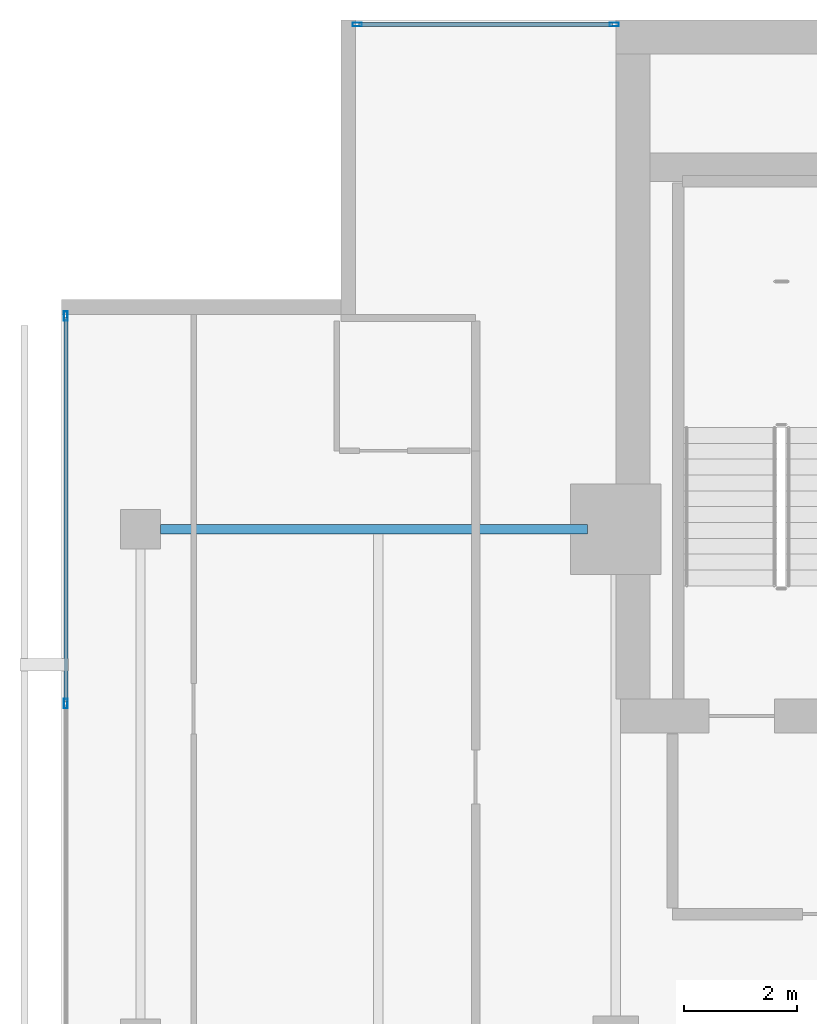
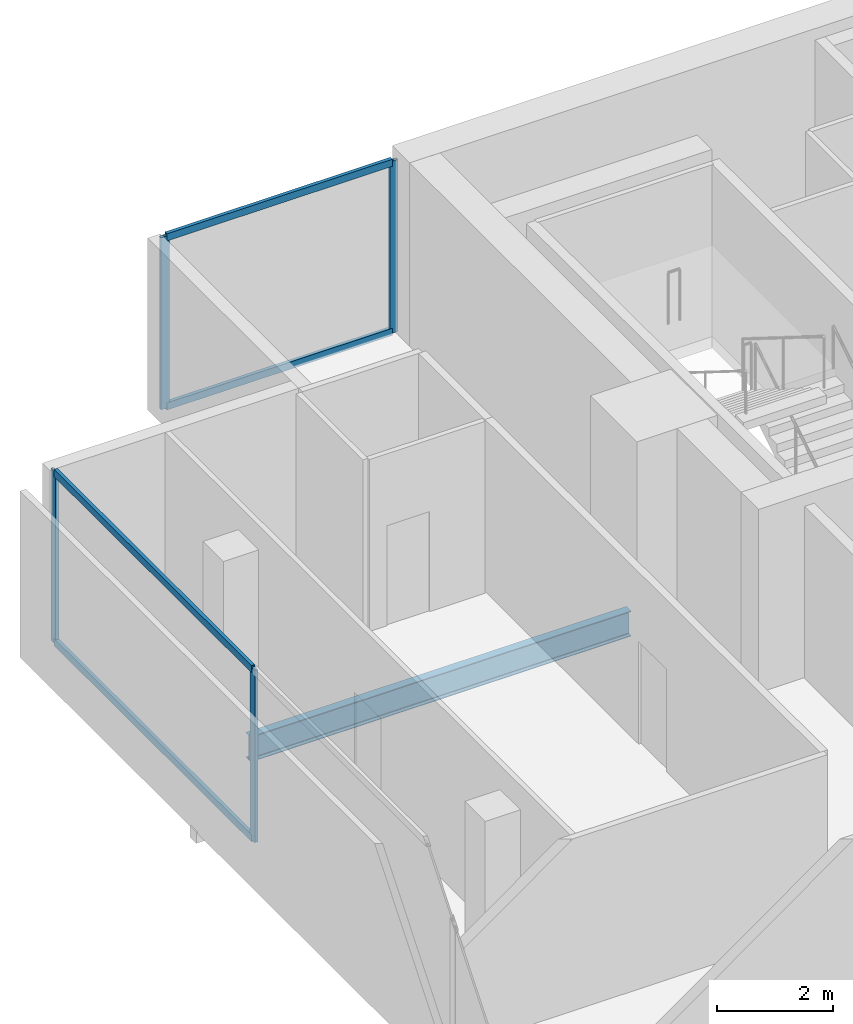
# One storey, part 16 of 25: 8 members, 1 beam, 2 elements without a shape of their own.
"""IFC4 building model written with IfcOpenShell, lengths in metres."""

import ifcopenshell
import ifcopenshell.guid

model = None  # the IFC model being written
_history = None  # IfcOwnerHistory: only IFC2X3 demands one
_inside = {}  # id of a spatial element -> (the spatial element, [elements in it])
_under = {}  # id of a project, library or spatial element -> (it, [spatial elements below it])
_declared = {}  # id of a project -> (the project, [libraries it declares])
_typed = {}  # id of a type object -> (the type object, [elements of that type])
_made_of = {}  # id of a material, layer set ... -> (it, [elements and type objects made of it])


def new_model(schema):
    """Start an empty IFC model of exactly this schema.

    Asked for "IFC4X3", IfcOpenShell would pick the latest addendum, in which some entities
    have other attributes; the version numbers below select the first issue.
    IFC2X3 requires an IfcOwnerHistory on every rooted entity: one is made here for all.
    """
    global model, _history
    if schema == "IFC4X3":
        model = ifcopenshell.file(schema_version=(4, 3, 0, 0))
    else:
        model = ifcopenshell.file(schema=schema)
    _inside.clear()
    _under.clear()
    _declared.clear()
    _typed.clear()
    _made_of.clear()
    _history = None
    if model.schema == "IFC2X3":
        org = make("IfcOrganization", Name="unknown")
        user = make(
            "IfcPersonAndOrganization",
            ThePerson=make("IfcPerson", FamilyName="unknown"),
            TheOrganization=org,
        )
        app = make(
            "IfcApplication",
            ApplicationDeveloper=org,
            Version="unknown",
            ApplicationFullName="unknown",
            ApplicationIdentifier="unknown",
        )
        _history = make(
            "IfcOwnerHistory",
            OwningUser=user,
            OwningApplication=app,
            ChangeAction="ADDED",
            CreationDate=0,
        )
    return model


def make(cls, **values):
    """One entity of the class cls with the attributes given. An attribute that is None is left unset."""
    return model.create_entity(
        cls, **{name: value for name, value in values.items() if value is not None}
    )


def rooted(cls, **values):
    """An entity with a GlobalId (a new one), such as an element, a storey or a relation."""
    return make(cls, GlobalId=ifcopenshell.guid.new(), OwnerHistory=_history, **values)


def si_unit(unit_type, name, prefix=None):
    """IfcSIUnit, for example si_unit("LENGTHUNIT", "METRE", prefix="MILLI")."""
    return make("IfcSIUnit", UnitType=unit_type, Prefix=prefix, Name=name)


def assignment(units):
    """IfcUnitAssignment: the units of a project."""
    return None if units is None else make("IfcUnitAssignment", Units=units)


def point(xyz):
    """IfcCartesianPoint."""
    return None if xyz is None else make("IfcCartesianPoint", Coordinates=xyz)


def direction(xyz):
    """IfcDirection."""
    return None if xyz is None else make("IfcDirection", DirectionRatios=xyz)


def frame(location, z_axis=None, x_axis=None):
    """IfcAxis2Placement3D, a coordinate frame: its origin and axes. An axis left out is left unset."""
    return make(
        "IfcAxis2Placement3D",
        Location=point(location),
        Axis=direction(z_axis),
        RefDirection=direction(x_axis),
    )


def frame_2d(location, x_axis=None):
    """IfcAxis2Placement2D, a coordinate frame in the plane: its origin and x axis."""
    return make(
        "IfcAxis2Placement2D", Location=point(location), RefDirection=direction(x_axis)
    )


def origin():
    """The frame at (0, 0, 0) with its axes left unset."""
    return frame((0.0, 0.0, 0.0))


def origin_2d():
    """The frame at (0, 0) in the plane with its x axis left unset."""
    return frame_2d((0.0, 0.0))


def place(relative_to, where):
    """IfcLocalPlacement: puts the frame where relative to a parent placement (None: the world)."""
    return make(
        "IfcLocalPlacement", PlacementRelTo=relative_to, RelativePlacement=where
    )


def context(
    kind, dimensions, precision=None, world=None, true_north=None, identifier=None
):
    """IfcGeometricRepresentationContext, for example the 3D "Model" context."""
    return make(
        "IfcGeometricRepresentationContext",
        ContextIdentifier=identifier,
        ContextType=kind,
        CoordinateSpaceDimension=dimensions,
        Precision=precision,
        WorldCoordinateSystem=world,
        TrueNorth=true_north,
    )


def subcontext(parent, identifier, kind, view, scale=None):
    """IfcGeometricRepresentationSubContext, for example "Body" below "Model"."""
    return make(
        "IfcGeometricRepresentationSubContext",
        ContextIdentifier=identifier,
        ContextType=kind,
        ParentContext=parent,
        TargetScale=scale,
        TargetView=view,
    )


def project(units=None, contexts=None):
    """IfcProject with its units and contexts."""
    return rooted(
        "IfcProject",
        Name="project",
        RepresentationContexts=contexts,
        UnitsInContext=assignment(units),
    )


def spatial(cls, under=None, at=None, **own):
    """A site, building, storey or space (cls), placed at a placement, below another one or the project."""
    s = rooted(cls, ObjectPlacement=at, **own)
    if under is not None:
        _under.setdefault(under.id(), (under, []))[1].append(s)
    return s


def profile(cls, at=None, kind="AREA", **sizes):
    """A parametric profile (cls). Its sizes go by their IFC names, for example OverallWidth=200.0."""
    return make(cls, ProfileType=kind, Position=at, **sizes)


def hollow_rectangle(**sizes):
    """IfcRectangleHollowProfileDef."""
    return profile("IfcRectangleHollowProfileDef", **sizes)


def i_section(**sizes):
    """IfcIShapeProfileDef."""
    return profile("IfcIShapeProfileDef", **sizes)


def extrude(swept, where, along, depth):
    """IfcExtrudedAreaSolid: the profile swept, set in the frame where, extruded along a direction by depth."""
    return make(
        "IfcExtrudedAreaSolid",
        SweptArea=swept,
        Position=where,
        ExtrudedDirection=direction(along),
        Depth=depth,
    )


def shape(context_of_items, identifier, shape_type, items):
    """IfcShapeRepresentation: the items that make up one representation, for example the "Body"."""
    return make(
        "IfcShapeRepresentation",
        ContextOfItems=context_of_items,
        RepresentationIdentifier=identifier,
        RepresentationType=shape_type,
        Items=items,
    )


def material(Name=None, Category=None):
    """IfcMaterial."""
    return make("IfcMaterial", Name=Name, Category=Category)


def layer(
    of_material, thickness, ventilated=None, Name=None, Category=None, Priority=None
):
    """IfcMaterialLayer: one layer of a wall or slab, of a material (None: an air gap)."""
    return make(
        "IfcMaterialLayer",
        Material=of_material,
        LayerThickness=thickness,
        IsVentilated=ventilated,
        Name=Name,
        Category=Category,
        Priority=Priority,
    )


def layer_set(layers, Name=None):
    """IfcMaterialLayerSet."""
    return make("IfcMaterialLayerSet", MaterialLayers=layers, LayerSetName=Name)


def material_profile(
    of_material, cross_section, Name=None, Category=None, Priority=None
):
    """IfcMaterialProfile: a cross section and its material."""
    return make(
        "IfcMaterialProfile",
        Name=Name,
        Material=of_material,
        Profile=cross_section,
        Priority=Priority,
        Category=Category,
    )


def profile_set(profiles, Name=None, composite=None):
    """IfcMaterialProfileSet."""
    return make(
        "IfcMaterialProfileSet",
        Name=Name,
        MaterialProfiles=profiles,
        CompositeProfile=composite,
    )


def made_of(thing, what):
    """Note that an element or type object is made of a material, layer set ...; save() writes the relation."""
    if what is not None:
        _made_of.setdefault(what.id(), (what, []))[1].append(thing)
    return thing


def type_object(cls, material=None, **own):
    """A type object (cls), such as IfcWallType, which elements share."""
    return made_of(rooted(cls, **own), material)


def element(
    cls,
    number,
    at=None,
    inside=None,
    cuts=None,
    type_object=None,
    material=None,
    context=None,
    identifier="Body",
    shape_type=None,
    held_by="IfcProductDefinitionShape",
    body=None,
    shapes=None,
    **own,
):
    """One element of the class cls, such as IfcWall. Its Tag is "e" and its number.

    at: its placement. inside: the storey or other place that contains it. cuts: it is an
    opening in that element (IfcRelVoidsElement). A single representation is given by context,
    identifier, shape_type and body (its items); several are given by shapes. held_by: the class
    of the entity that holds the representations. save() writes the other relations.
    """
    e = rooted(cls, Tag="e%d" % number, ObjectPlacement=at, **own)
    if body is not None:
        shapes = [shape(context, identifier, shape_type, body)]
    if shapes is not None:
        e.Representation = make(held_by, Representations=shapes)
    if inside is not None:
        _inside.setdefault(inside.id(), (inside, []))[1].append(e)
    if cuts is not None:
        rooted(
            "IfcRelVoidsElement", RelatingBuildingElement=cuts, RelatedOpeningElement=e
        )
    if type_object is not None:
        _typed.setdefault(type_object.id(), (type_object, []))[1].append(e)
    return made_of(e, material)


def aggregate(whole, parts):
    """IfcRelAggregates: a whole, such as a stair, and the parts it consists of."""
    return rooted("IfcRelAggregates", RelatingObject=whole, RelatedObjects=parts)


def save(model, path):
    """Write the relations noted so far, then the file.

    IfcRelAggregates (storeys below a building ...), IfcRelContainedInSpatialStructure (elements
    in a storey), IfcRelDefinesByType, IfcRelAssociatesMaterial and IfcRelDeclares: one each for
    every whole, place, type object, material and project.
    """
    for whole, parts in _under.values():
        aggregate(whole, parts)
    for where, things in _inside.values():
        rooted(
            "IfcRelContainedInSpatialStructure",
            RelatedElements=things,
            RelatingStructure=where,
        )
    for kind, things in _typed.values():
        rooted("IfcRelDefinesByType", RelatedObjects=things, RelatingType=kind)
    for what, things in _made_of.values():
        rooted("IfcRelAssociatesMaterial", RelatedObjects=things, RelatingMaterial=what)
    for by, libraries in _declared.values():
        rooted("IfcRelDeclares", RelatingContext=by, RelatedDefinitions=libraries)
    model.write(path)


model = new_model("IFC4")

# Units and contexts
model_context = context("Model", 3, precision=1e-05, world=origin(), true_north=direction((0.0, 1.0)))
body_context = subcontext(model_context, "Body", "Model", "MODEL_VIEW")
ifc_project = project(units=[si_unit("LENGTHUNIT", "METRE"), si_unit("AREAUNIT", "SQUARE_METRE"), si_unit("VOLUMEUNIT", "CUBIC_METRE"), si_unit("PLANEANGLEUNIT", "RADIAN"), si_unit("MASSUNIT", "GRAM", prefix="KILO")], contexts=[model_context])

# Site, building, storey
site_placement = place(None, origin())
site = spatial("IfcSite", under=ifc_project, at=site_placement, CompositionType="ELEMENT")
building_placement = place(site_placement, origin())
building = spatial("IfcBuilding", under=site, at=building_placement, Name="Maruvema Waterfront Hotel and Observation Tower", CompositionType="ELEMENT")
storey_placement = place(building_placement, frame((0.0, 0.0, 281.75)))
storey = spatial("IfcBuildingStorey", under=building, at=storey_placement, Name="L69", CompositionType="ELEMENT", Elevation=281.75)

# Curtain wall, members
ifc_material_1 = material(Name="Anodised bronze aluminium and solar-control low-E IGU", Category="aluminium")
ifc_layer = layer(ifc_material_1, 0.159912109375, Name="Zone 3 Champagne Inner Thermal Curtain Wall System CW-04")
ifc_layer_set = layer_set([ifc_layer], Name="Anodised bronze aluminium and solar-control low-E IGU")
curtain_wall_type = type_object("IfcCurtainWallType", Name="Zone 3 Champagne Inner Thermal Curtain Wall System CW-04", PredefinedType="USERDEFINED", material=ifc_layer_set)
curtain_wall_1_placement = place(storey_placement, origin())
curtain_wall_1 = element("IfcCurtainWall", 1, at=curtain_wall_1_placement, inside=storey, type_object=curtain_wall_type, Name="L69 Curtain Wall CW-L69-W", ObjectType="UNITISED CURTAIN WALL", PredefinedType="USERDEFINED")
ifc_material_2 = material(Name="Anodised architectural bronze aluminium", Category="aluminium")
ifc_material_profile_1 = material_profile(ifc_material_2, hollow_rectangle(XDim=0.070068359375, YDim=0.14990234375, WallThickness=0.00390625, at=origin_2d()), Name="ALU-T70x150")
ifc_profile_set_1 = profile_set([ifc_material_profile_1], Name="Anodised architectural bronze aluminium")
member_type_1 = type_object("IfcMemberType", Name="Curtain Wall Horizontal Transom ALU-T70x150", PredefinedType="USERDEFINED", material=ifc_profile_set_1)
member_1_placement = place(storey_placement, frame((15.47998046875, 48.739990234375, 0.030029296875), z_axis=(0.0, -1.0, 0.0), x_axis=(1.0, 0.0, 0.0)))
member_1 = element("IfcMember", 2, at=member_1_placement, type_object=member_type_1, Name="CW-04 transom 1.1", ObjectType="TRANSOM", PredefinedType="USERDEFINED", context=body_context, shape_type="SweptSolid", body=[
    extrude(hollow_rectangle(XDim=0.070068359375, YDim=0.14990234375, WallThickness=0.00390625, at=origin_2d()), origin(), (0.0, 0.0, 1.0), 6.7900390625),
])
member_2_placement = place(storey_placement, frame((15.47998046875, 48.739990234375, 3.580078125), z_axis=(0.0, -1.0, 0.0), x_axis=(1.0, 0.0, 0.0)))
member_2 = element("IfcMember", 3, at=member_2_placement, type_object=member_type_1, Name="CW-04 transom 1.2", ObjectType="TRANSOM", PredefinedType="USERDEFINED", context=body_context, shape_type="SweptSolid", body=[
    extrude(hollow_rectangle(XDim=0.070068359375, YDim=0.14990234375, WallThickness=0.00390625, at=origin_2d()), origin(), (0.0, 0.0, 1.0), 6.7900390625),
])

curtain_wall_2_placement = place(storey_placement, origin())
curtain_wall_2 = element("IfcCurtainWall", 4, at=curtain_wall_2_placement, inside=storey, type_object=curtain_wall_type, Name="L69 Curtain Wall CW-L69-NW", ObjectType="UNITISED CURTAIN WALL", PredefinedType="USERDEFINED")
member_3_placement = place(storey_placement, frame((25.139892578125, 53.919921875, 0.030029296875), z_axis=(-1.0, 0.0, 0.0), x_axis=(0.0, -1.0, 0.0)))
member_3 = element("IfcMember", 5, at=member_3_placement, type_object=member_type_1, Name="CW-04 transom 1.1", ObjectType="TRANSOM", PredefinedType="USERDEFINED", context=body_context, shape_type="SweptSolid", body=[
    extrude(hollow_rectangle(XDim=0.070068359375, YDim=0.14990234375, WallThickness=0.00390625, at=origin_2d()), origin(), (0.0, 0.0, 1.0), 4.47998046875),
])
member_4_placement = place(storey_placement, frame((25.139892578125, 53.919921875, 3.580078125), z_axis=(-1.0, 0.0, 0.0), x_axis=(0.0, -1.0, 0.0)))
member_4 = element("IfcMember", 6, at=member_4_placement, type_object=member_type_1, Name="CW-04 transom 1.2", ObjectType="TRANSOM", PredefinedType="USERDEFINED", context=body_context, shape_type="SweptSolid", body=[
    extrude(hollow_rectangle(XDim=0.070068359375, YDim=0.14990234375, WallThickness=0.00390625, at=origin_2d()), origin(), (0.0, 0.0, 1.0), 4.47998046875),
])

# Member
ifc_material_3 = material(Name="Anodised architectural bronze aluminium", Category="aluminium")
ifc_material_profile_2 = material_profile(ifc_material_3, hollow_rectangle(XDim=0.06494140625, YDim=0.1650390625, WallThickness=0.00390625, at=origin_2d()), Name="ALU-M65x165")
ifc_profile_set_2 = profile_set([ifc_material_profile_2], Name="Anodised architectural bronze aluminium")
member_type_2 = type_object("IfcMemberType", Name="Curtain Wall Primary Mullion ALU-M65x165", PredefinedType="MULLION", material=ifc_profile_set_2)
member_5_placement = place(storey_placement, frame((15.47998046875, 48.77001953125, 0.0), z_axis=(0.0, 0.0, 1.0), x_axis=(1.0, 0.0, 0.0)))
member_5 = element("IfcMember", 7, at=member_5_placement, type_object=member_type_2, Name="CW-04 mullion 1", PredefinedType="MULLION", context=body_context, shape_type="SweptSolid", body=[
    extrude(hollow_rectangle(XDim=0.06494140625, YDim=0.1650390625, WallThickness=0.00390625, at=origin_2d()), origin(), (0.0, 0.0, 1.0), 3.610107421875),
])

member_6_placement = place(storey_placement, frame((15.47998046875, 41.919921875, 0.0), z_axis=(0.0, 0.0, 1.0), x_axis=(1.0, 0.0, 0.0)))
member_6 = element("IfcMember", 8, at=member_6_placement, type_object=member_type_2, Name="CW-04 mullion 2", PredefinedType="MULLION", context=body_context, shape_type="SweptSolid", body=[
    extrude(hollow_rectangle(XDim=0.06494140625, YDim=0.1650390625, WallThickness=0.00390625, at=origin_2d()), origin(), (0.0, 0.0, 1.0), 3.610107421875),
])

aggregate(curtain_wall_1, [member_5, member_6, member_1, member_2])

member_7_placement = place(storey_placement, frame((25.169921875, 53.919921875, 0.0), z_axis=(0.0, 0.0, 1.0), x_axis=(0.0, -1.0, 0.0)))
member_7 = element("IfcMember", 9, at=member_7_placement, type_object=member_type_2, Name="CW-04 mullion 1", PredefinedType="MULLION", context=body_context, shape_type="SweptSolid", body=[
    extrude(hollow_rectangle(XDim=0.06494140625, YDim=0.1650390625, WallThickness=0.00390625, at=origin_2d()), origin(), (0.0, 0.0, 1.0), 3.610107421875),
])

member_8_placement = place(storey_placement, frame((20.6298828125, 53.919921875, 0.0), z_axis=(0.0, 0.0, 1.0), x_axis=(0.0, -1.0, 0.0)))
member_8 = element("IfcMember", 10, at=member_8_placement, type_object=member_type_2, Name="CW-04 mullion 2", PredefinedType="MULLION", context=body_context, shape_type="SweptSolid", body=[
    extrude(hollow_rectangle(XDim=0.06494140625, YDim=0.1650390625, WallThickness=0.00390625, at=origin_2d()), origin(), (0.0, 0.0, 1.0), 3.610107421875),
])

aggregate(curtain_wall_2, [member_7, member_8, member_3, member_4])

# Beam
ifc_material_4 = material(Name="Steel ASTM A572 Grade 50", Category="steel")
ifc_material_profile_3 = material_profile(ifc_material_4, i_section(OverallWidth=0.166015625, OverallDepth=0.529052734375, WebThickness=0.009765625, FlangeThickness=0.013671875, FilletRadius=0.014892578125, at=origin_2d()), Name="W530x74.0")
ifc_profile_set_3 = profile_set([ifc_material_profile_3], Name="Steel ASTM A572 Grade 50")
beam_type = type_object("IfcBeamType", Name="Primary Floor Girder W530x74.0", PredefinedType="BEAM", material=ifc_profile_set_3)
beam_placement = place(storey_placement, frame((17.14990234375, 45.0, -0.50439453125), z_axis=(1.0, 0.0, 0.0), x_axis=(0.0, 1.0, 0.0)))
element("IfcBeam", 11, at=beam_placement, inside=storey, type_object=beam_type, Name="L69 Floor Girder EW-17", PredefinedType="BEAM", context=body_context, shape_type="SweptSolid", body=[
    extrude(i_section(OverallWidth=0.166015625, OverallDepth=0.529052734375, WebThickness=0.009765625, FlangeThickness=0.013671875, FilletRadius=0.014892578125, at=origin_2d()), origin(), (0.0, 0.0, 1.0), 7.550048828125),
])

save(model, "model.ifc")
